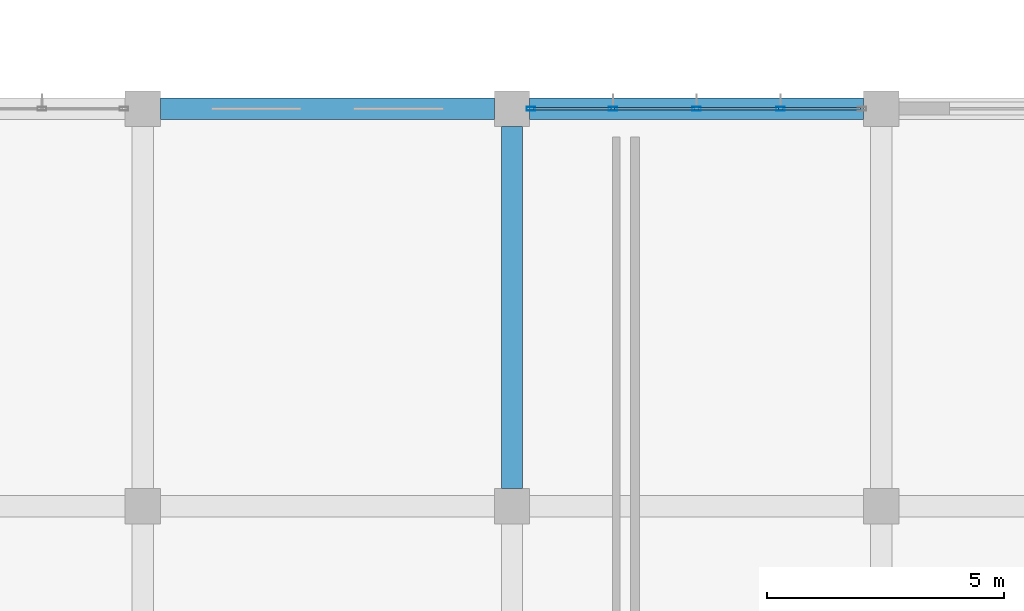
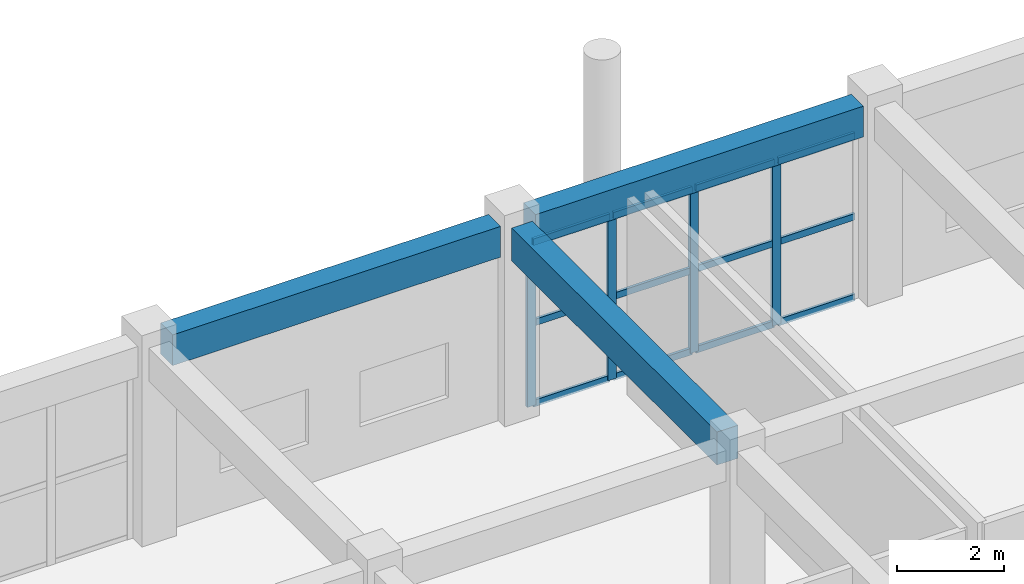
# One storey, part 120 of 167: 16 members, 3 beams, 1 element without a shape of its own.
"""IFC4 building model written with IfcOpenShell, lengths in metres."""

from ifc_helpers import new_model, si_unit, direction, frame, origin, origin_2d, place, context, subcontext, project, spatial, rectangle, hollow_rectangle, extrude, material, layer, layer_set, material_profile, profile_set, type_object, element, aggregate, save


model = new_model("IFC4")

# Units and contexts
model_context = context("Model", 3, precision=1e-05, world=origin(), true_north=direction((0.0, 1.0)))
body_context = subcontext(model_context, "Body", "Model", "MODEL_VIEW")
ifc_project = project(units=[si_unit("LENGTHUNIT", "METRE"), si_unit("AREAUNIT", "SQUARE_METRE"), si_unit("VOLUMEUNIT", "CUBIC_METRE"), si_unit("PLANEANGLEUNIT", "RADIAN"), si_unit("MASSUNIT", "GRAM", prefix="KILO")], contexts=[model_context])

# Site, building, storey
site_placement = place(None, origin())
site = spatial("IfcSite", under=ifc_project, at=site_placement, CompositionType="ELEMENT")
building_placement = place(site_placement, origin())
building = spatial("IfcBuilding", under=site, at=building_placement, Name="Zizhar Promenade General Hospital", CompositionType="ELEMENT")
storey_placement = place(building_placement, frame((0.0, 0.0, 9.60009765625)))
storey = spatial("IfcBuildingStorey", under=building, at=storey_placement, Name="L02", CompositionType="ELEMENT", Elevation=9.60009765625)

# Beams
ifc_material_1 = material(Name="Concrete C35/45", Category="concrete")
ifc_material_profile_1 = material_profile(ifc_material_1, rectangle(XDim=0.449951171875, YDim=0.699951171875, at=origin_2d()))
ifc_profile_set_1 = profile_set([ifc_material_profile_1], Name="Concrete C35/45")
beam_type_1 = type_object("IfcBeamType", Name="BM-RC-450x700", PredefinedType="BEAM", material=ifc_profile_set_1)
for number, where, z_axis, x_axis, name in (
    (1, (78.375, 134.39990234375, 4.119873046875), (1.0, 0.0, 0.0), (0.0, 1.0, 0.0), "Grid Beam X L02 (10-16)"),
    (2, (86.175048828125, 134.39990234375, 4.119873046875), (1.0, 0.0, 0.0), (0.0, 1.0, 0.0), "Grid Beam X L02 (11-16)"),
):
    element("IfcBeam", number, at=place(storey_placement, frame(where, z_axis=z_axis, x_axis=x_axis)), inside=storey, type_object=beam_type_1, Name=name, PredefinedType="BEAM", context=body_context, shape_type="SweptSolid", body=[
        extrude(rectangle(XDim=0.449951171875, YDim=0.699951171875, at=origin_2d()), origin(), (0.0, 0.0, 1.0), 7.050048828125),
    ])
ifc_material_2 = material(Name="Concrete C35/45", Category="concrete")
ifc_material_profile_2 = material_profile(ifc_material_2, rectangle(XDim=0.449951171875, YDim=0.75, at=origin_2d()))
ifc_profile_set_2 = profile_set([ifc_material_profile_2], Name="Concrete C35/45")
beam_type_2 = type_object("IfcBeamType", Name="BM-RC-450x750", PredefinedType="BEAM", material=ifc_profile_set_2)
beam_placement = place(storey_placement, frame((85.800048828125, 126.375, 4.094970703125), z_axis=(0.0, 1.0, 0.0), x_axis=(-1.0, 0.0, 0.0)))
element("IfcBeam", 3, at=beam_placement, inside=storey, type_object=beam_type_2, Name="Grid Beam Y L02 (11-15)", PredefinedType="BEAM", context=body_context, shape_type="SweptSolid", body=[
    extrude(rectangle(XDim=0.449951171875, YDim=0.75, at=origin_2d()), origin(), (0.0, 0.0, 1.0), 7.64990234375),
])

# Curtain wall, members
ifc_material_3 = material(Name="Anodised aluminium 6063-T6 and low-E glass", Category="aluminium")
ifc_layer = layer(ifc_material_3, 0.159912109375)
ifc_layer_set = layer_set([ifc_layer], Name="Anodised aluminium 6063-T6 and low-E glass")
curtain_wall_type = type_object("IfcCurtainWallType", Name="CW-DT-MOD2", PredefinedType="NOTDEFINED", material=ifc_layer_set)
curtain_wall_placement = place(storey_placement, origin())
curtain_wall = element("IfcCurtainWall", 4, at=curtain_wall_placement, inside=storey, type_object=curtain_wall_type, Name="Surgical North Glazed Curtain Wall L02-11", PredefinedType="NOTDEFINED")
ifc_material_4 = material(Name="Anodised aluminium 6063-T6", Category="aluminium")
ifc_material_profile_3 = material_profile(ifc_material_4, hollow_rectangle(XDim=0.080078125, YDim=0.179931640625, WallThickness=0.0048828125, at=origin_2d()))
ifc_profile_set_3 = profile_set([ifc_material_profile_3], Name="Anodised aluminium 6063-T6")
member_type_1 = type_object("IfcMemberType", Name="CWM-ALU-180x80", PredefinedType="MULLION", material=ifc_profile_set_3)
member_1_placement = place(storey_placement, frame((86.199951171875, 134.39990234375, 0.0), z_axis=(0.0, 0.0, 1.0), x_axis=(0.0, 1.0, 0.0)))
member_1 = element("IfcMember", 5, at=member_1_placement, type_object=member_type_1, Name="CW-08 mullion 1", PredefinedType="MULLION", context=body_context, shape_type="SweptSolid", body=[
    extrude(hollow_rectangle(XDim=0.080078125, YDim=0.179931640625, WallThickness=0.0048828125, at=origin_2d()), origin(), (0.0, 0.0, 1.0), 3.72998046875),
])
member_2_placement = place(storey_placement, frame((87.929931640625, 134.39990234375, 0.0), z_axis=(0.0, 0.0, 1.0), x_axis=(0.0, 1.0, 0.0)))
member_2 = element("IfcMember", 6, at=member_2_placement, type_object=member_type_1, Name="CW-08 mullion 2", PredefinedType="MULLION", context=body_context, shape_type="SweptSolid", body=[
    extrude(hollow_rectangle(XDim=0.080078125, YDim=0.179931640625, WallThickness=0.0048828125, at=origin_2d()), origin(), (0.0, 0.0, 1.0), 3.72998046875),
])
member_3_placement = place(storey_placement, frame((89.699951171875, 134.39990234375, 0.0), z_axis=(0.0, 0.0, 1.0), x_axis=(0.0, 1.0, 0.0)))
member_3 = element("IfcMember", 7, at=member_3_placement, type_object=member_type_1, Name="CW-08 mullion 3", PredefinedType="MULLION", context=body_context, shape_type="SweptSolid", body=[
    extrude(hollow_rectangle(XDim=0.080078125, YDim=0.179931640625, WallThickness=0.0048828125, at=origin_2d()), origin(), (0.0, 0.0, 1.0), 3.72998046875),
])
member_4_placement = place(storey_placement, frame((91.469970703125, 134.39990234375, 0.0), z_axis=(0.0, 0.0, 1.0), x_axis=(0.0, 1.0, 0.0)))
member_4 = element("IfcMember", 8, at=member_4_placement, type_object=member_type_1, Name="CW-08 mullion 4", PredefinedType="MULLION", context=body_context, shape_type="SweptSolid", body=[
    extrude(hollow_rectangle(XDim=0.080078125, YDim=0.179931640625, WallThickness=0.0048828125, at=origin_2d()), origin(), (0.0, 0.0, 1.0), 3.72998046875),
])
ifc_material_5 = material(Name="Anodised aluminium 6063-T6", Category="aluminium")
ifc_material_profile_4 = material_profile(ifc_material_5, hollow_rectangle(XDim=0.06005859375, YDim=0.14990234375, WallThickness=0.00390625, at=origin_2d()))
ifc_profile_set_4 = profile_set([ifc_material_profile_4], Name="Anodised aluminium 6063-T6")
member_type_2 = type_object("IfcMemberType", Name="CWT-ALU-150x60", PredefinedType="USERDEFINED", material=ifc_profile_set_4)
member_5_placement = place(storey_placement, frame((86.239990234375, 134.39990234375, 0.02978515625), z_axis=(1.0, 0.0, 0.0), x_axis=(0.0, 1.0, 0.0)))
member_5 = element("IfcMember", 9, at=member_5_placement, type_object=member_type_2, Name="CW-08 transom 1.1", ObjectType="TRANSOM", PredefinedType="USERDEFINED", context=body_context, shape_type="SweptSolid", body=[
    extrude(hollow_rectangle(XDim=0.06005859375, YDim=0.14990234375, WallThickness=0.00390625, at=origin_2d()), origin(), (0.0, 0.0, 1.0), 1.64990234375),
])
member_6_placement = place(storey_placement, frame((86.239990234375, 134.39990234375, 1.864990234375), z_axis=(1.0, 0.0, 0.0), x_axis=(0.0, 1.0, 0.0)))
member_6 = element("IfcMember", 10, at=member_6_placement, type_object=member_type_2, Name="CW-08 transom 1.2", ObjectType="TRANSOM", PredefinedType="USERDEFINED", context=body_context, shape_type="SweptSolid", body=[
    extrude(hollow_rectangle(XDim=0.06005859375, YDim=0.14990234375, WallThickness=0.00390625, at=origin_2d()), origin(), (0.0, 0.0, 1.0), 1.64990234375),
])
member_7_placement = place(storey_placement, frame((86.239990234375, 134.39990234375, 3.699951171875), z_axis=(1.0, 0.0, 0.0), x_axis=(0.0, 1.0, 0.0)))
member_7 = element("IfcMember", 11, at=member_7_placement, type_object=member_type_2, Name="CW-08 transom 1.3", ObjectType="TRANSOM", PredefinedType="USERDEFINED", context=body_context, shape_type="SweptSolid", body=[
    extrude(hollow_rectangle(XDim=0.06005859375, YDim=0.14990234375, WallThickness=0.00390625, at=origin_2d()), origin(), (0.0, 0.0, 1.0), 1.64990234375),
])
member_8_placement = place(storey_placement, frame((87.969970703125, 134.39990234375, 0.02978515625), z_axis=(1.0, 0.0, 0.0), x_axis=(0.0, 1.0, 0.0)))
member_8 = element("IfcMember", 12, at=member_8_placement, type_object=member_type_2, Name="CW-08 transom 2.1", ObjectType="TRANSOM", PredefinedType="USERDEFINED", context=body_context, shape_type="SweptSolid", body=[
    extrude(hollow_rectangle(XDim=0.06005859375, YDim=0.14990234375, WallThickness=0.00390625, at=origin_2d()), origin(), (0.0, 0.0, 1.0), 1.68994140625),
])
member_9_placement = place(storey_placement, frame((87.969970703125, 134.39990234375, 1.864990234375), z_axis=(1.0, 0.0, 0.0), x_axis=(0.0, 1.0, 0.0)))
member_9 = element("IfcMember", 13, at=member_9_placement, type_object=member_type_2, Name="CW-08 transom 2.2", ObjectType="TRANSOM", PredefinedType="USERDEFINED", context=body_context, shape_type="SweptSolid", body=[
    extrude(hollow_rectangle(XDim=0.06005859375, YDim=0.14990234375, WallThickness=0.00390625, at=origin_2d()), origin(), (0.0, 0.0, 1.0), 1.68994140625),
])
member_10_placement = place(storey_placement, frame((87.969970703125, 134.39990234375, 3.699951171875), z_axis=(1.0, 0.0, 0.0), x_axis=(0.0, 1.0, 0.0)))
member_10 = element("IfcMember", 14, at=member_10_placement, type_object=member_type_2, Name="CW-08 transom 2.3", ObjectType="TRANSOM", PredefinedType="USERDEFINED", context=body_context, shape_type="SweptSolid", body=[
    extrude(hollow_rectangle(XDim=0.06005859375, YDim=0.14990234375, WallThickness=0.00390625, at=origin_2d()), origin(), (0.0, 0.0, 1.0), 1.68994140625),
])
member_11_placement = place(storey_placement, frame((89.739990234375, 134.39990234375, 0.02978515625), z_axis=(1.0, 0.0, 0.0), x_axis=(0.0, 1.0, 0.0)))
member_11 = element("IfcMember", 15, at=member_11_placement, type_object=member_type_2, Name="CW-08 transom 3.1", ObjectType="TRANSOM", PredefinedType="USERDEFINED", context=body_context, shape_type="SweptSolid", body=[
    extrude(hollow_rectangle(XDim=0.06005859375, YDim=0.14990234375, WallThickness=0.00390625, at=origin_2d()), origin(), (0.0, 0.0, 1.0), 1.68994140625),
])
member_12_placement = place(storey_placement, frame((89.739990234375, 134.39990234375, 1.864990234375), z_axis=(1.0, 0.0, 0.0), x_axis=(0.0, 1.0, 0.0)))
member_12 = element("IfcMember", 16, at=member_12_placement, type_object=member_type_2, Name="CW-08 transom 3.2", ObjectType="TRANSOM", PredefinedType="USERDEFINED", context=body_context, shape_type="SweptSolid", body=[
    extrude(hollow_rectangle(XDim=0.06005859375, YDim=0.14990234375, WallThickness=0.00390625, at=origin_2d()), origin(), (0.0, 0.0, 1.0), 1.68994140625),
])
member_13_placement = place(storey_placement, frame((89.739990234375, 134.39990234375, 3.699951171875), z_axis=(1.0, 0.0, 0.0), x_axis=(0.0, 1.0, 0.0)))
member_13 = element("IfcMember", 17, at=member_13_placement, type_object=member_type_2, Name="CW-08 transom 3.3", ObjectType="TRANSOM", PredefinedType="USERDEFINED", context=body_context, shape_type="SweptSolid", body=[
    extrude(hollow_rectangle(XDim=0.06005859375, YDim=0.14990234375, WallThickness=0.00390625, at=origin_2d()), origin(), (0.0, 0.0, 1.0), 1.68994140625),
])
member_14_placement = place(storey_placement, frame((91.510009765625, 134.39990234375, 0.02978515625), z_axis=(1.0, 0.0, 0.0), x_axis=(0.0, 1.0, 0.0)))
member_14 = element("IfcMember", 18, at=member_14_placement, type_object=member_type_2, Name="CW-08 transom 4.1", ObjectType="TRANSOM", PredefinedType="USERDEFINED", context=body_context, shape_type="SweptSolid", body=[
    extrude(hollow_rectangle(XDim=0.06005859375, YDim=0.14990234375, WallThickness=0.00390625, at=origin_2d()), origin(), (0.0, 0.0, 1.0), 1.64990234375),
])
member_15_placement = place(storey_placement, frame((91.510009765625, 134.39990234375, 1.864990234375), z_axis=(1.0, 0.0, 0.0), x_axis=(0.0, 1.0, 0.0)))
member_15 = element("IfcMember", 19, at=member_15_placement, type_object=member_type_2, Name="CW-08 transom 4.2", ObjectType="TRANSOM", PredefinedType="USERDEFINED", context=body_context, shape_type="SweptSolid", body=[
    extrude(hollow_rectangle(XDim=0.06005859375, YDim=0.14990234375, WallThickness=0.00390625, at=origin_2d()), origin(), (0.0, 0.0, 1.0), 1.64990234375),
])
member_16_placement = place(storey_placement, frame((91.510009765625, 134.39990234375, 3.699951171875), z_axis=(1.0, 0.0, 0.0), x_axis=(0.0, 1.0, 0.0)))
member_16 = element("IfcMember", 20, at=member_16_placement, type_object=member_type_2, Name="CW-08 transom 4.3", ObjectType="TRANSOM", PredefinedType="USERDEFINED", context=body_context, shape_type="SweptSolid", body=[
    extrude(hollow_rectangle(XDim=0.06005859375, YDim=0.14990234375, WallThickness=0.00390625, at=origin_2d()), origin(), (0.0, 0.0, 1.0), 1.64990234375),
])
aggregate(curtain_wall, [member_1, member_2, member_3, member_4, member_5, member_6, member_7, member_8, member_9, member_10, member_11, member_12, member_13, member_14, member_15, member_16])

save(model, "model.ifc")
